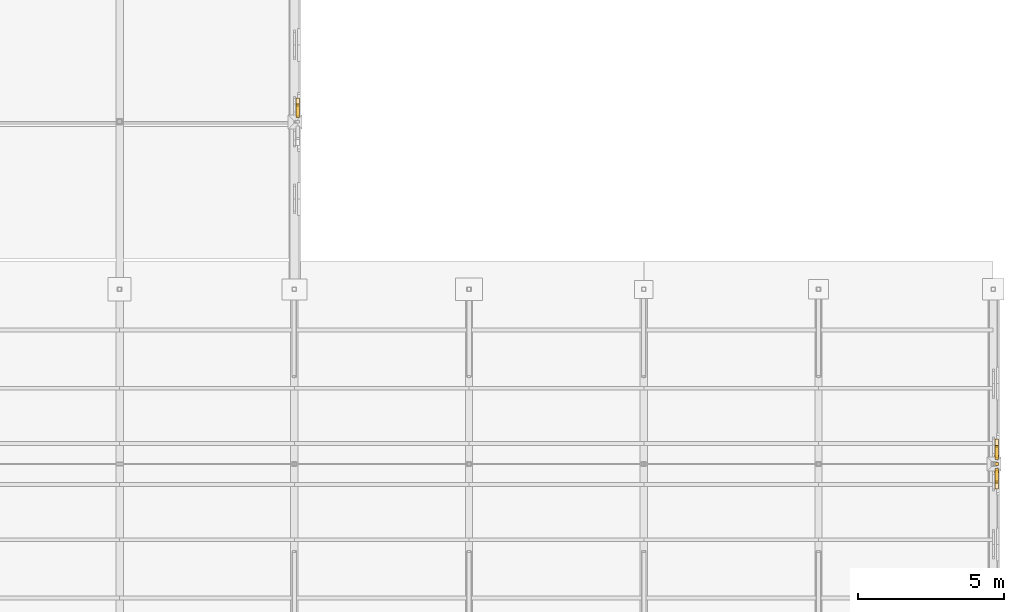
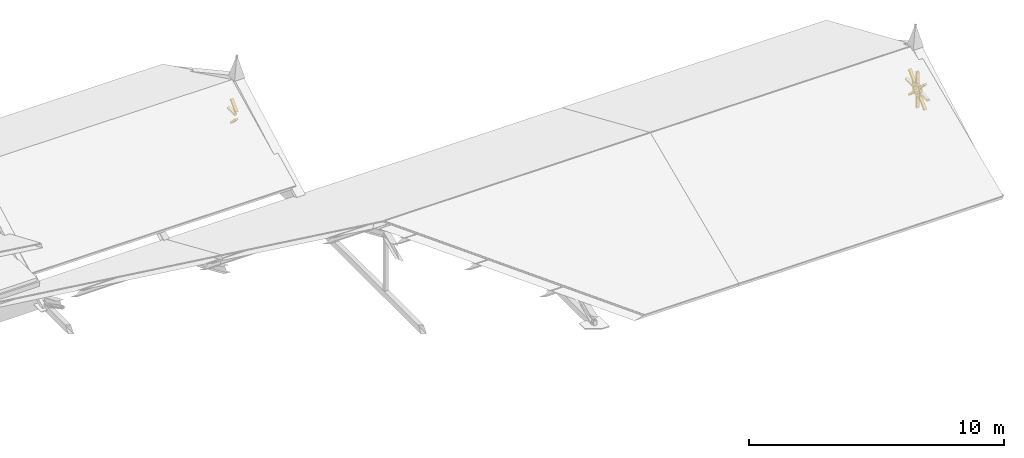
# One storey, part 59 of 59: 12 coverings.
"""IFC4 building model written with IfcOpenShell, lengths in metres."""

from ifc_helpers import new_model, si_unit, direction, frame, origin, place, context, subcontext, project, spatial, polyline, outline, extrude, material, type_object, element, save


model = new_model("IFC4")

# Units and contexts
model_context = context("Model", 3, precision=1e-05, world=origin(), true_north=direction((0.0, 1.0)))
body_context = subcontext(model_context, "Body", "Model", "MODEL_VIEW")
ifc_project = project(units=[si_unit("LENGTHUNIT", "METRE"), si_unit("AREAUNIT", "SQUARE_METRE"), si_unit("VOLUMEUNIT", "CUBIC_METRE"), si_unit("PLANEANGLEUNIT", "RADIAN"), si_unit("MASSUNIT", "GRAM", prefix="KILO")], contexts=[model_context])

# Site, building, storey
site_placement = place(None, origin())
site = spatial("IfcSite", under=ifc_project, at=site_placement, CompositionType="ELEMENT")
building_placement = place(site_placement, origin())
building = spatial("IfcBuilding", under=site, at=building_placement, Name="Cumevento Cable Car Station", CompositionType="ELEMENT")
storey_placement = place(building_placement, frame((0.0, 0.0, 18.0)))
storey = spatial("IfcBuildingStorey", under=building, at=storey_placement, Name="L05", CompositionType="ELEMENT", Elevation=18.0)

# Coverings
ifc_material = material(Name="Gnaisse Facoidal Stone Ashlar 85 MPa", Category="masonry")
covering_type = type_object("IfcCoveringType", Name="Gnaisse Ashlar Cladding CV-CL01", PredefinedType="CLADDING", material=ifc_material)
placement_1 = place(storey_placement, frame((166.0, 45.0, 0.0), z_axis=(0.0, 0.0, 1.0), x_axis=(0.0, -1.0, 0.0)))
element("IfcCovering", 1, at=placement_1, inside=storey, type_object=covering_type, Name="Gothic Rose Central Stone Oculus Hub depot_garage_E", PredefinedType="CLADDING", context=body_context, shape_type="SweptSolid", body=[
    extrude(outline(polyline([(6.310302734375, 1.3447265625), (6.268798828125, 1.5), (6.155029296875, 1.613525390625), (6.0, 1.655029296875), (5.844970703125, 1.613525390625), (5.731201171875, 1.5), (5.689697265625, 1.3447265625), (5.731201171875, 1.189697265625), (5.844970703125, 1.076171875), (6.0, 1.034423828125), (6.155029296875, 1.076171875), (6.268798828125, 1.189697265625), (6.310302734375, 1.3447265625)]), holes=[polyline([(6.190185546875, 1.3447265625), (6.164794921875, 1.43994140625), (6.09521484375, 1.509521484375), (6.0, 1.53515625), (5.90478515625, 1.509521484375), (5.835205078125, 1.43994140625), (5.809814453125, 1.3447265625), (5.835205078125, 1.249755859375), (5.90478515625, 1.179931640625), (6.0, 1.154541015625), (6.09521484375, 1.179931640625), (6.164794921875, 1.249755859375), (6.190185546875, 1.3447265625)])]), frame((0.0, 0.18994140625, 0.0), z_axis=(0.0, -1.0, 0.0), x_axis=(1.0, 0.0, 0.0)), (0.0, 0.0, 1.0), 0.139892578125),
])
element("IfcCovering", 2, at=placement_1, inside=storey, type_object=covering_type, Name="Gothic Rose Stone Tracery Mullion depot_garage_E #1", PredefinedType="CLADDING", context=body_context, shape_type="SweptSolid", body=[
    extrude(outline(polyline([(6.26025390625, 1.389892578125), (6.865478515625, 1.389892578125), (6.865478515625, 1.2998046875), (6.26025390625, 1.2998046875), (6.26025390625, 1.389892578125)])), frame((0.0, 0.18505859375, 0.0), z_axis=(0.0, -1.0, 0.0), x_axis=(1.0, 0.0, 0.0)), (0.0, 0.0, 1.0), 0.1298828125),
])
element("IfcCovering", 3, at=placement_1, inside=storey, type_object=covering_type, Name="Gothic Rose Stone Tracery Mullion depot_garage_E #2", PredefinedType="CLADDING", context=body_context, shape_type="SweptSolid", body=[
    extrude(outline(polyline([(6.15234375, 1.560791015625), (6.580322265625, 1.98876953125), (6.643798828125, 1.925048828125), (6.2158203125, 1.4970703125), (6.15234375, 1.560791015625)])), frame((0.0, 0.18505859375, 0.0), z_axis=(0.0, -1.0, 0.0), x_axis=(1.0, 0.0, 0.0)), (0.0, 0.0, 1.0), 0.1298828125),
])
element("IfcCovering", 4, at=placement_1, inside=storey, type_object=covering_type, Name="Gothic Rose Stone Tracery Mullion depot_garage_E #3", PredefinedType="CLADDING", context=body_context, shape_type="SweptSolid", body=[
    extrude(outline(polyline([(5.955078125, 1.60498046875), (5.955078125, 2.21044921875), (6.044921875, 2.21044921875), (6.044921875, 1.60498046875), (5.955078125, 1.60498046875)])), frame((0.0, 0.18505859375, 0.0), z_axis=(0.0, -1.0, 0.0), x_axis=(1.0, 0.0, 0.0)), (0.0, 0.0, 1.0), 0.1298828125),
])
element("IfcCovering", 5, at=placement_1, inside=storey, type_object=covering_type, Name="Gothic Rose Stone Tracery Mullion depot_garage_E #4", PredefinedType="CLADDING", context=body_context, shape_type="SweptSolid", body=[
    extrude(outline(polyline([(5.7841796875, 1.4970703125), (5.356201171875, 1.925048828125), (5.419677734375, 1.98876953125), (5.84765625, 1.560791015625), (5.7841796875, 1.4970703125)])), frame((0.0, 0.18505859375, 0.0), z_axis=(0.0, -1.0, 0.0), x_axis=(1.0, 0.0, 0.0)), (0.0, 0.0, 1.0), 0.1298828125),
])
element("IfcCovering", 6, at=placement_1, inside=storey, type_object=covering_type, Name="Gothic Rose Stone Tracery Mullion depot_garage_E #5", PredefinedType="CLADDING", context=body_context, shape_type="SweptSolid", body=[
    extrude(outline(polyline([(5.73974609375, 1.2998046875), (5.134521484375, 1.2998046875), (5.134521484375, 1.389892578125), (5.73974609375, 1.389892578125), (5.73974609375, 1.2998046875)])), frame((0.0, 0.18505859375, 0.0), z_axis=(0.0, -1.0, 0.0), x_axis=(1.0, 0.0, 0.0)), (0.0, 0.0, 1.0), 0.1298828125),
])
element("IfcCovering", 7, at=placement_1, inside=storey, type_object=covering_type, Name="Gothic Rose Stone Tracery Mullion depot_garage_E #6", PredefinedType="CLADDING", context=body_context, shape_type="SweptSolid", body=[
    extrude(outline(polyline([(5.84765625, 1.12890625), (5.419677734375, 0.700927734375), (5.356201171875, 0.7646484375), (5.7841796875, 1.192626953125), (5.84765625, 1.12890625)])), frame((0.0, 0.18505859375, 0.0), z_axis=(0.0, -1.0, 0.0), x_axis=(1.0, 0.0, 0.0)), (0.0, 0.0, 1.0), 0.1298828125),
])
element("IfcCovering", 8, at=placement_1, inside=storey, type_object=covering_type, Name="Gothic Rose Stone Tracery Mullion depot_garage_E #7", PredefinedType="CLADDING", context=body_context, shape_type="SweptSolid", body=[
    extrude(outline(polyline([(6.044921875, 1.08447265625), (6.044921875, 0.479248046875), (5.955078125, 0.479248046875), (5.955078125, 1.08447265625), (6.044921875, 1.08447265625)])), frame((0.0, 0.18505859375, 0.0), z_axis=(0.0, -1.0, 0.0), x_axis=(1.0, 0.0, 0.0)), (0.0, 0.0, 1.0), 0.1298828125),
])
element("IfcCovering", 9, at=placement_1, inside=storey, type_object=covering_type, Name="Gothic Rose Stone Tracery Mullion depot_garage_E #8", PredefinedType="CLADDING", context=body_context, shape_type="SweptSolid", body=[
    extrude(outline(polyline([(6.2158203125, 1.192626953125), (6.643798828125, 0.7646484375), (6.580322265625, 0.700927734375), (6.15234375, 1.12890625), (6.2158203125, 1.192626953125)])), frame((0.0, 0.18505859375, 0.0), z_axis=(0.0, -1.0, 0.0), x_axis=(1.0, 0.0, 0.0)), (0.0, 0.0, 1.0), 0.1298828125),
])
placement_2 = place(storey_placement, frame((142.0, 56.5, 0.0), z_axis=(0.0, 0.0, 1.0), x_axis=(0.0, -1.0, 0.0)))
element("IfcCovering", 10, at=placement_2, inside=storey, type_object=covering_type, Name="Gothic Rose Stone Tracery Mullion wing_B_V5c_E #4", PredefinedType="CLADDING", context=body_context, shape_type="SweptSolid", body=[
    extrude(outline(polyline([(5.544189453125, 1.405029296875), (5.144287109375, 1.804931640625), (5.2080078125, 1.868408203125), (5.607666015625, 1.46875), (5.544189453125, 1.405029296875)])), frame((0.0, 0.18505859375, 0.0), z_axis=(0.0, -1.0, 0.0), x_axis=(1.0, 0.0, 0.0)), (0.0, 0.0, 1.0), 0.1298828125),
])
element("IfcCovering", 11, at=placement_2, inside=storey, type_object=covering_type, Name="Gothic Rose Stone Tracery Mullion wing_B_V5c_E #5", PredefinedType="CLADDING", context=body_context, shape_type="SweptSolid", body=[
    extrude(outline(polyline([(5.50390625, 1.2177734375), (4.9384765625, 1.2177734375), (4.9384765625, 1.307861328125), (5.50390625, 1.307861328125), (5.50390625, 1.2177734375)])), frame((0.0, 0.18505859375, 0.0), z_axis=(0.0, -1.0, 0.0), x_axis=(1.0, 0.0, 0.0)), (0.0, 0.0, 1.0), 0.1298828125),
])
element("IfcCovering", 12, at=placement_2, inside=storey, type_object=covering_type, Name="Gothic Rose Stone Tracery Mullion wing_B_V5c_E #6", PredefinedType="CLADDING", context=body_context, shape_type="SweptSolid", body=[
    extrude(outline(polyline([(5.607666015625, 1.056884765625), (5.2080078125, 0.656982421875), (5.144287109375, 0.720703125), (5.544189453125, 1.12060546875), (5.607666015625, 1.056884765625)])), frame((0.0, 0.18505859375, 0.0), z_axis=(0.0, -1.0, 0.0), x_axis=(1.0, 0.0, 0.0)), (0.0, 0.0, 1.0), 0.1298828125),
])

save(model, "model.ifc")
